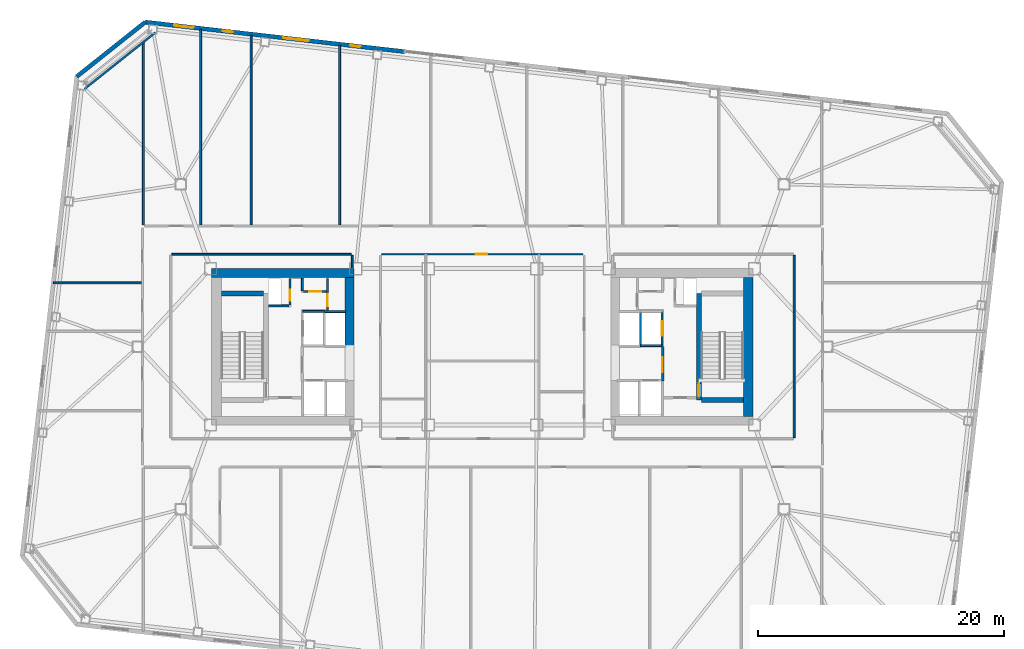
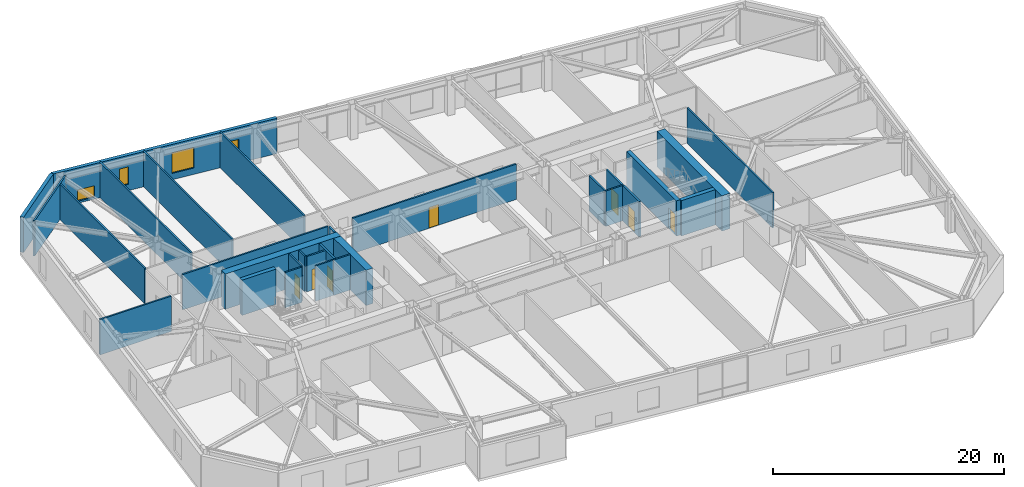
# One storey, part 12 of 19: 29 walls, 7 doors, 4 windows, 11 openings.
"""IFC4 building model written with IfcOpenShell, lengths in metres."""

from ifc_helpers import new_model, si_unit, direction, frame, frame_2d, origin, place, context, subcontext, project, spatial, rectangle, extrude, material, layer, layer_set, type_object, element, fill, save


model = new_model("IFC4")

# Units and contexts
model_context = context("Model", 3, precision=1e-05, world=origin(), true_north=direction((0.0, 1.0)))
body_context = subcontext(model_context, "Body", "Model", "MODEL_VIEW")
ifc_project = project(units=[si_unit("LENGTHUNIT", "METRE"), si_unit("AREAUNIT", "SQUARE_METRE"), si_unit("VOLUMEUNIT", "CUBIC_METRE"), si_unit("PLANEANGLEUNIT", "RADIAN"), si_unit("MASSUNIT", "GRAM", prefix="KILO")], contexts=[model_context])

# Site, building, storey
site_placement = place(None, origin())
site = spatial("IfcSite", under=ifc_project, at=site_placement, CompositionType="ELEMENT")
building_placement = place(site_placement, origin())
building = spatial("IfcBuilding", under=site, at=building_placement, Name="Tavrogorsk Clinical Tower", CompositionType="ELEMENT")
storey_placement = place(building_placement, frame((0.0, 0.0, 101.39990234375)))
storey = spatial("IfcBuildingStorey", under=building, at=storey_placement, Name="L22", CompositionType="ELEMENT", Elevation=101.39990234375)

# Wall, opening, door
ifc_material_1 = material(Name="Concrete B60", Category="concrete")
ifc_layer_1 = layer(ifc_material_1, 0.199951171875)
ifc_layer_set_1 = layer_set([ifc_layer_1], Name="Concrete B60")
wall_type_1 = type_object("IfcWallType", Name="CoreFireWall_200", PredefinedType="SOLIDWALL", material=ifc_layer_set_1)
wall_1_placement = place(storey_placement, frame((14.639892578125, -2.780029296875, 0.0), z_axis=(0.0, 0.0, 1.0), x_axis=(0.0, 1.0, 0.0)))
wall_1 = element("IfcWall", 1, at=wall_1_placement, inside=storey, type_object=wall_type_1, Name="L22 Core East Firefighting Lobby Fire Wall", PredefinedType="SOLIDWALL", context=body_context, shape_type="SweptSolid", body=[
    extrude(rectangle(XDim=2.820068359375, YDim=0.199951171875, at=frame_2d((1.41015625, 0.0))), origin(), (0.0, 0.0, 1.0), 3.739990234375),
])
opening_1_placement = place(wall_1_placement, frame((0.72998046875, 0.0, 0.0)))
opening_1 = element("IfcOpeningElement", 2, at=opening_1_placement, cuts=wall_1, Name="Opening FD-01", PredefinedType="OPENING", context=body_context, shape_type="SweptSolid", body=[
    extrude(rectangle(XDim=1.199951171875, YDim=2.199951171875, at=frame_2d((0.60009765625, 1.10009765625))), frame((0.0, 0.10986328125, 0.0), z_axis=(0.0, -1.0, 0.0), x_axis=(1.0, 0.0, 0.0)), (0.0, 0.0, 1.0), 0.219970703125),
])
ifc_material_2 = material(Name="Galvanised steel fire-rated door assembly", Category="steel")
door_type_1 = type_object("IfcDoorType", Name="FireDoor_FD01_1200", OperationType="NOTDEFINED", PredefinedType="DOOR", material=ifc_material_2)
door_1_placement = place(opening_1_placement, origin())
door_1 = element("IfcDoor", 3, at=door_1_placement, inside=storey, type_object=door_type_1, Name="L22 Core East Firefighting Lobby Entry Door", OperationType="SINGLE_SWING_RIGHT", OverallHeight=2.199951171875, OverallWidth=1.199951171875, PredefinedType="DOOR", context=body_context, shape_type="SweptSolid", body=[
    extrude(rectangle(XDim=1.199951171875, YDim=2.199951171875, at=frame_2d((0.60009765625, 1.10009765625))), frame((0.0, 0.02490234375, 0.0), z_axis=(0.0, -1.0, 0.0), x_axis=(1.0, 0.0, 0.0)), (0.0, 0.0, 1.0), 0.050048828125),
])
fill(opening_1, door_1)

ifc_material_3 = material(Name="Lightweight concrete blockwork B15", Category="masonry")
ifc_layer_2 = layer(ifc_material_3, 0.159912109375)
ifc_layer_set_2 = layer_set([ifc_layer_2], Name="Lightweight concrete blockwork B15")
wall_type_2 = type_object("IfcWallType", Name="PartitionWall_160", PredefinedType="PARTITIONING", material=ifc_layer_set_2)
wall_2_placement = place(storey_placement, frame((-12.580078125, 2.9599609375, 0.0), z_axis=(0.0, 0.0, 1.0), x_axis=(0.0, 1.0, 0.0)))
wall_2 = element("IfcWall", 4, at=wall_2_placement, inside=storey, type_object=wall_type_2, Name="L22 Core West Linen Closet Wall", PredefinedType="PARTITIONING", context=body_context, shape_type="SweptSolid", body=[
    extrude(rectangle(XDim=2.60009765625, YDim=0.159912109375, at=frame_2d((1.300048828125, 0.0))), origin(), (0.0, 0.0, 1.0), 3.739990234375),
])
opening_2_placement = place(wall_2_placement, frame((0.35009765625, 0.0, 0.0)))
opening_2 = element("IfcOpeningElement", 5, at=opening_2_placement, cuts=wall_2, Name="Opening ID-02", PredefinedType="OPENING", context=body_context, shape_type="SweptSolid", body=[
    extrude(rectangle(XDim=0.949951171875, YDim=2.199951171875, at=frame_2d((0.47509765625, 1.10009765625))), frame((0.0, 0.08984375, 0.0), z_axis=(0.0, -1.0, 0.0), x_axis=(1.0, 0.0, 0.0)), (0.0, 0.0, 1.0), 0.179931640625),
])
ifc_material_4 = material(Name="Laminated timber leaf on aluminium frame", Category="wood")
door_type_2 = type_object("IfcDoorType", Name="InteriorDoor_ID02_950", OperationType="NOTDEFINED", PredefinedType="DOOR", material=ifc_material_4)
door_2_placement = place(opening_2_placement, origin())
door_2 = element("IfcDoor", 6, at=door_2_placement, inside=storey, type_object=door_type_2, Name="L22 Core West Linen Closet Door", OperationType="SINGLE_SWING_LEFT", OverallHeight=2.199951171875, OverallWidth=0.949951171875, PredefinedType="DOOR", context=body_context, shape_type="SweptSolid", body=[
    extrude(rectangle(XDim=0.949951171875, YDim=2.199951171875, at=frame_2d((0.47509765625, 1.10009765625))), frame((0.0, 0.02490234375, 0.0), z_axis=(0.0, -1.0, 0.0), x_axis=(1.0, 0.0, 0.0)), (0.0, 0.0, 1.0), 0.050048828125),
])
fill(opening_2, door_2)

wall_3_placement = place(storey_placement, frame((-14.554931640625, 4.47998046875, 0.0), z_axis=(0.0, 0.0, 1.0), x_axis=(1.0, 0.0, 0.0)))
wall_3 = element("IfcWall", 7, at=wall_3_placement, inside=storey, type_object=wall_type_2, Name="L22 Core West Housekeeping South Wall", PredefinedType="PARTITIONING", context=body_context, shape_type="SweptSolid", body=[
    extrude(rectangle(XDim=1.889892578125, YDim=0.159912109375, at=frame_2d((0.94482421875, 0.0))), origin(), (0.0, 0.0, 1.0), 3.739990234375),
])
opening_3_placement = place(wall_3_placement, frame((0.5, 0.0, 0.0)))
opening_3 = element("IfcOpeningElement", 8, at=opening_3_placement, cuts=wall_3, Name="Opening ID-02", PredefinedType="OPENING", context=body_context, shape_type="SweptSolid", body=[
    extrude(rectangle(XDim=0.949951171875, YDim=2.199951171875, at=frame_2d((0.47509765625, 1.10009765625))), frame((0.0, 0.08984375, 0.0), z_axis=(0.0, -1.0, 0.0), x_axis=(1.0, 0.0, 0.0)), (0.0, 0.0, 1.0), 0.179931640625),
])
door_3_placement = place(opening_3_placement, origin())
door_3 = element("IfcDoor", 9, at=door_3_placement, inside=storey, type_object=door_type_2, Name="L22 Core West Housekeeping Closet Door", OperationType="SINGLE_SWING_RIGHT", OverallHeight=2.199951171875, OverallWidth=0.949951171875, PredefinedType="DOOR", context=body_context, shape_type="SweptSolid", body=[
    extrude(rectangle(XDim=0.949951171875, YDim=2.199951171875, at=frame_2d((0.47509765625, 1.10009765625))), frame((0.0, 0.02490234375, 0.0), z_axis=(0.0, -1.0, 0.0), x_axis=(1.0, 0.0, 0.0)), (0.0, 0.0, 1.0), 0.050048828125),
])
fill(opening_3, door_3)

# Walls
wall_4_placement = place(storey_placement, frame((-14.639892578125, 4.56494140625, 0.0), z_axis=(0.0, 0.0, 1.0), x_axis=(0.0, 1.0, 0.0)))
element("IfcWall", 10, at=wall_4_placement, inside=storey, type_object=wall_type_2, Name="L22 Core West Housekeeping East Wall", PredefinedType="PARTITIONING", context=body_context, shape_type="SweptSolid", body=[
    extrude(rectangle(XDim=0.9951171875, YDim=0.159912109375, at=frame_2d((0.49755859375, 0.0))), origin(), (0.0, 0.0, 1.0), 3.739990234375),
])
wall_5_placement = place(storey_placement, frame((-26.5712890625, 25.534912109375, 0.0), z_axis=(0.0, 0.0, 1.0), x_axis=(-0.782617962887, -0.622502308564, 0.0)))
element("IfcWall", 11, at=wall_5_placement, inside=storey, type_object=wall_type_2, Name="L22 Corner Exoskeleton Brace Furring Wall 3", PredefinedType="PARTITIONING", context=body_context, shape_type="SweptSolid", body=[
    extrude(rectangle(XDim=7.35400390625, YDim=0.159912109375, at=frame_2d((3.677001953125, 0.0))), origin(), (0.0, 0.0, 1.0), 3.739990234375),
])
wall_6_placement = place(storey_placement, frame((25.320068359375, -7.385009765625, 0.0), z_axis=(0.0, 0.0, 1.0), x_axis=(0.0, 1.0, 0.0)))
element("IfcWall", 12, at=wall_6_placement, inside=storey, type_object=wall_type_2, Name="L22 Corridor Partition 13", PredefinedType="PARTITIONING", context=body_context, shape_type="SweptSolid", body=[
    extrude(rectangle(XDim=14.820068359375, YDim=0.159912109375, at=frame_2d((7.41015625, 0.0))), origin(), (0.0, 0.0, 1.0), 3.739990234375),
])

# Wall, opening, door
wall_7_placement = place(storey_placement, frame((8.18505859375, 7.52001953125, 0.0), z_axis=(0.0, 0.0, 1.0), x_axis=(-1.0, 0.0, 0.0)))
wall_7 = element("IfcWall", 13, at=wall_7_placement, inside=storey, type_object=wall_type_2, Name="L22 Corridor Partition 14", PredefinedType="PARTITIONING", context=body_context, shape_type="SweptSolid", body=[
    extrude(rectangle(XDim=16.3701171875, YDim=0.159912109375, at=frame_2d((8.18505859375, 0.0))), origin(), (0.0, 0.0, 1.0), 3.739990234375),
])
opening_4_placement = place(wall_7_placement, frame((7.794921875, 0.0, 0.0)))
opening_4 = element("IfcOpeningElement", 14, at=opening_4_placement, cuts=wall_7, Name="Opening ID-02", PredefinedType="OPENING", context=body_context, shape_type="SweptSolid", body=[
    extrude(rectangle(XDim=0.949951171875, YDim=2.199951171875, at=frame_2d((0.47509765625, 1.10009765625))), frame((0.0, 0.08984375, 0.0), z_axis=(0.0, -1.0, 0.0), x_axis=(1.0, 0.0, 0.0)), (0.0, 0.0, 1.0), 0.179931640625),
])
door_4_placement = place(opening_4_placement, origin())
door_4 = element("IfcDoor", 15, at=door_4_placement, inside=storey, type_object=door_type_2, Name="L22 Nurses' Station & Triage Hub Door", OperationType="SINGLE_SWING_LEFT", OverallHeight=2.199951171875, OverallWidth=0.949951171875, PredefinedType="DOOR", context=body_context, shape_type="SweptSolid", body=[
    extrude(rectangle(XDim=0.949951171875, YDim=2.199951171875, at=frame_2d((0.47509765625, 1.10009765625))), frame((0.0, 0.02490234375, 0.0), z_axis=(0.0, -1.0, 0.0), x_axis=(1.0, 0.0, 0.0)), (0.0, 0.0, 1.0), 0.050048828125),
])
fill(opening_4, door_4)

# Walls
wall_8_placement = place(storey_placement, frame((-10.580078125, 6.419921875, 0.0), z_axis=(0.0, 0.0, 1.0), x_axis=(0.0, 1.0, 0.0)))
element("IfcWall", 16, at=wall_8_placement, inside=storey, type_object=wall_type_2, Name="L22 Corridor Partition 19", PredefinedType="PARTITIONING", context=body_context, shape_type="SweptSolid", body=[
    extrude(rectangle(XDim=1.01513671875, YDim=0.159912109375, at=frame_2d((0.507568359375, 0.0))), origin(), (0.0, 0.0, 1.0), 3.739990234375),
])
wall_9_placement = place(storey_placement, frame((-10.6650390625, 7.52001953125, 0.0), z_axis=(0.0, 0.0, 1.0), x_axis=(-1.0, 0.0, 0.0)))
element("IfcWall", 17, at=wall_9_placement, inside=storey, type_object=wall_type_2, Name="L22 Corridor Partition 20", PredefinedType="PARTITIONING", context=body_context, shape_type="SweptSolid", body=[
    extrude(rectangle(XDim=14.570068359375, YDim=0.159912109375, at=frame_2d((7.28515625, 0.0))), origin(), (0.0, 0.0, 1.0), 3.739990234375),
])
wall_10_placement = place(storey_placement, frame((-27.550048828125, 9.9150390625, 0.0), z_axis=(0.0, 0.0, 1.0), x_axis=(0.0, 1.0, 0.0)))
element("IfcWall", 18, at=wall_10_placement, inside=storey, type_object=wall_type_2, Name="L22 NW Wing Closure Partition", PredefinedType="PARTITIONING", context=body_context, shape_type="SweptSolid", body=[
    extrude(rectangle(XDim=14.858642578125, YDim=0.159912109375, at=frame_2d((7.42919921875, 0.0))), origin(), (0.0, 0.0, 1.0), 3.739990234375),
])
wall_11_placement = place(storey_placement, frame((-22.89990234375, 9.9150390625, 0.0), z_axis=(0.0, 0.0, 1.0), x_axis=(0.0, 1.0, 0.0)))
element("IfcWall", 19, at=wall_11_placement, inside=storey, type_object=wall_type_2, Name="L22 North Room Partition 1", PredefinedType="PARTITIONING", context=body_context, shape_type="SweptSolid", body=[
    extrude(rectangle(XDim=15.886474609375, YDim=0.159912109375, at=frame_2d((7.943359375, 0.0))), origin(), (0.0, 0.0, 1.0), 3.739990234375),
])
wall_12_placement = place(storey_placement, frame((-18.800048828125, 9.9150390625, 0.0), z_axis=(0.0, 0.0, 1.0), x_axis=(0.0, 1.0, 0.0)))
element("IfcWall", 20, at=wall_12_placement, inside=storey, type_object=wall_type_2, Name="L22 North Room Partition 2", PredefinedType="PARTITIONING", context=body_context, shape_type="SweptSolid", body=[
    extrude(rectangle(XDim=15.419189453125, YDim=0.159912109375, at=frame_2d((7.70947265625, 0.0))), origin(), (0.0, 0.0, 1.0), 3.739990234375),
])
wall_13_placement = place(storey_placement, frame((-11.60009765625, 9.9150390625, 0.0), z_axis=(0.0, 0.0, 1.0), x_axis=(0.0, 1.0, 0.0)))
element("IfcWall", 21, at=wall_13_placement, inside=storey, type_object=wall_type_2, Name="L22 North Room Partition 3", PredefinedType="PARTITIONING", context=body_context, shape_type="SweptSolid", body=[
    extrude(rectangle(XDim=14.598876953125, YDim=0.159912109375, at=frame_2d((7.29931640625, 0.0))), origin(), (0.0, 0.0, 1.0), 3.739990234375),
])
wall_14_placement = place(storey_placement, frame((-34.857177734375, 5.199951171875, 0.0), z_axis=(0.0, 0.0, 1.0), x_axis=(1.0, 0.0, 0.0)))
element("IfcWall", 22, at=wall_14_placement, inside=storey, type_object=wall_type_2, Name="L22 W Wing Divider 3", PredefinedType="PARTITIONING", context=body_context, shape_type="SweptSolid", body=[
    extrude(rectangle(XDim=7.14208984375, YDim=0.159912109375, at=frame_2d((3.571044921875, 0.0))), origin(), (0.0, 0.0, 1.0), 3.739990234375),
])

# Wall, openings, windows
ifc_material_5 = material(Name="Precast concrete B45 with limestone cladding", Category="masonry")
ifc_layer_3 = layer(ifc_material_5, 0.340087890625)
ifc_layer_set_3 = layer_set([ifc_layer_3], Name="Precast concrete B45 with limestone cladding")
wall_type_3 = type_object("IfcWallType", Name="PrecastLimestoneWall_340", PredefinedType="STANDARD", material=ifc_layer_set_3)
wall_15_placement = place(storey_placement, frame((-6.314453125, 23.982177734375, 0.0), z_axis=(0.0, 0.0, 1.0), x_axis=(-0.993571362037, 0.113207546299, 0.0)))
wall_15 = element("IfcWall", 23, at=wall_15_placement, inside=storey, type_object=wall_type_3, Name="L22 N Limestone Facade Wall 3", PredefinedType="STANDARD", context=body_context, shape_type="SweptSolid", body=[
    extrude(rectangle(XDim=21.222900390625, YDim=0.340087890625, at=frame_2d((10.611328125, 0.0))), origin(), (0.0, 0.0, 1.0), 3.739990234375),
])
opening_5_placement = place(wall_15_placement, frame((17.264892578125, 0.0, 0.219970703125)))
opening_5 = element("IfcOpeningElement", 24, at=opening_5_placement, cuts=wall_15, Name="Opening WN-09", PredefinedType="OPENING", context=body_context, shape_type="SweptSolid", body=[
    extrude(rectangle(XDim=1.60009765625, YDim=1.199951171875, at=frame_2d((0.800048828125, 0.60009765625))), frame((0.0, 0.179931640625, 0.0), z_axis=(0.0, -1.0, 0.0), x_axis=(1.0, 0.0, 0.0)), (0.0, 0.0, 1.0), 0.360107421875),
])
opening_6_placement = place(wall_15_placement, frame((14.043701171875, 0.0, 0.669921875)))
opening_6 = element("IfcOpeningElement", 25, at=opening_6_placement, cuts=wall_15, Name="Opening WN-06", PredefinedType="OPENING", context=body_context, shape_type="SweptSolid", body=[
    extrude(rectangle(XDim=0.85009765625, YDim=1.85009765625, at=frame_2d((0.425048828125, 0.925048828125))), frame((0.0, 0.179931640625, 0.0), z_axis=(0.0, -1.0, 0.0), x_axis=(1.0, 0.0, 0.0)), (0.0, 0.0, 1.0), 0.360107421875),
])
opening_7_placement = place(wall_15_placement, frame((7.837890625, 0.0, 0.669921875)))
opening_7 = element("IfcOpeningElement", 26, at=opening_7_placement, cuts=wall_15, Name="Opening WN-03", PredefinedType="OPENING", context=body_context, shape_type="SweptSolid", body=[
    extrude(rectangle(XDim=2.10009765625, YDim=2.199951171875, at=frame_2d((1.050048828125, 1.10009765625))), frame((0.0, 0.179931640625, 0.0), z_axis=(0.0, -1.0, 0.0), x_axis=(1.0, 0.0, 0.0)), (0.0, 0.0, 1.0), 0.360107421875),
])
opening_8_placement = place(wall_15_placement, frame((3.616455078125, 0.0, 0.669921875)))
opening_8 = element("IfcOpeningElement", 27, at=opening_8_placement, cuts=wall_15, Name="Opening WN-06", PredefinedType="OPENING", context=body_context, shape_type="SweptSolid", body=[
    extrude(rectangle(XDim=0.85009765625, YDim=1.85009765625, at=frame_2d((0.425048828125, 0.925048828125))), frame((0.0, 0.179931640625, 0.0), z_axis=(0.0, -1.0, 0.0), x_axis=(1.0, 0.0, 0.0)), (0.0, 0.0, 1.0), 0.360107421875),
])
ifc_material_6 = material(Name="Thermally broken aluminium frame and triple IGU", Category="aluminium")
window_type_1 = type_object("IfcWindowType", Name="LowHeadTransWin_1600x1200", PartitioningType="DOUBLE_PANEL_VERTICAL", PredefinedType="WINDOW", material=ifc_material_6)
window_1_placement = place(opening_5_placement, origin())
window_1 = element("IfcWindow", 28, at=window_1_placement, inside=storey, type_object=window_type_1, Name="L22 N Chicago Window 01", OverallHeight=1.199951171875, OverallWidth=1.60009765625, PartitioningType="SINGLE_PANEL", PredefinedType="WINDOW", context=body_context, shape_type="SweptSolid", body=[
    extrude(rectangle(XDim=1.60009765625, YDim=1.199951171875, at=frame_2d((0.800048828125, 0.60009765625))), frame((0.0, 0.030029296875, 0.0), z_axis=(0.0, -1.0, 0.0), x_axis=(1.0, 0.0, 0.0)), (0.0, 0.0, 1.0), 0.06005859375),
])
fill(opening_5, window_1)
ifc_material_7 = material(Name="Thermally broken aluminium frame and triple IGU", Category="aluminium")
window_type_2 = type_object("IfcWindowType", Name="MullionSubWin_850x1850", PartitioningType="SINGLE_PANEL", PredefinedType="WINDOW", material=ifc_material_7)
window_2_placement = place(opening_6_placement, origin())
window_2 = element("IfcWindow", 29, at=window_2_placement, inside=storey, type_object=window_type_2, Name="L22 N Mullion Split Window 02B", OverallHeight=1.85009765625, OverallWidth=0.85009765625, PartitioningType="SINGLE_PANEL", PredefinedType="WINDOW", context=body_context, shape_type="SweptSolid", body=[
    extrude(rectangle(XDim=0.85009765625, YDim=1.85009765625, at=frame_2d((0.425048828125, 0.925048828125))), frame((0.0, 0.030029296875, 0.0), z_axis=(0.0, -1.0, 0.0), x_axis=(1.0, 0.0, 0.0)), (0.0, 0.0, 1.0), 0.06005859375),
])
fill(opening_6, window_2)
window_3_placement = place(opening_8_placement, origin())
window_3 = element("IfcWindow", 30, at=window_3_placement, inside=storey, type_object=window_type_2, Name="L22 N Mullion Split Window 04A", OverallHeight=1.85009765625, OverallWidth=0.85009765625, PartitioningType="SINGLE_PANEL", PredefinedType="WINDOW", context=body_context, shape_type="SweptSolid", body=[
    extrude(rectangle(XDim=0.85009765625, YDim=1.85009765625, at=frame_2d((0.425048828125, 0.925048828125))), frame((0.0, 0.030029296875, 0.0), z_axis=(0.0, -1.0, 0.0), x_axis=(1.0, 0.0, 0.0)), (0.0, 0.0, 1.0), 0.06005859375),
])
fill(opening_8, window_3)
ifc_material_8 = material(Name="Thermally broken aluminium frame and triple IGU", Category="aluminium")
window_type_3 = type_object("IfcWindowType", Name="PatientTwinWin_2100x2200", PartitioningType="DOUBLE_PANEL_VERTICAL", PredefinedType="WINDOW", material=ifc_material_8)
window_4_placement = place(opening_7_placement, origin())
window_4 = element("IfcWindow", 31, at=window_4_placement, inside=storey, type_object=window_type_3, Name="L22 N Chicago Window 03", OverallHeight=2.199951171875, OverallWidth=2.10009765625, PartitioningType="SINGLE_PANEL", PredefinedType="WINDOW", context=body_context, shape_type="SweptSolid", body=[
    extrude(rectangle(XDim=2.10009765625, YDim=2.199951171875, at=frame_2d((1.050048828125, 1.10009765625))), frame((0.0, 0.030029296875, 0.0), z_axis=(0.0, -1.0, 0.0), x_axis=(1.0, 0.0, 0.0)), (0.0, 0.0, 1.0), 0.06005859375),
])
fill(opening_7, window_4)

# Walls
wall_16_placement = place(storey_placement, frame((-27.40087890625, 26.384765625, 0.0), z_axis=(0.0, 0.0, 1.0), x_axis=(-0.78261359446, -0.622507800567, 0.0)))
element("IfcWall", 32, at=wall_16_placement, inside=storey, type_object=wall_type_3, Name="L22 Chamfered Corner Wall 3", PredefinedType="STANDARD", context=body_context, shape_type="SweptSolid", body=[
    extrude(rectangle(XDim=7.113525390625, YDim=0.340087890625, at=frame_2d((3.556640625, 0.0))), origin(), (0.0, 0.0, 1.0), 3.739990234375),
])
ifc_material_9 = material(Name="Lightweight concrete blockwork B25", Category="masonry")
ifc_layer_4 = layer(ifc_material_9, 0.159912109375)
ifc_layer_set_4 = layer_set([ifc_layer_4], Name="Lightweight concrete blockwork B25")
wall_type_4 = type_object("IfcWallType", Name="ShaftWall_160", PredefinedType="PARTITIONING", material=ifc_layer_set_4)
wall_17_placement = place(storey_placement, frame((-14.60009765625, 2.8798828125, 0.0), z_axis=(0.0, 0.0, 1.0), x_axis=(1.0, 0.0, 0.0)))
element("IfcWall", 33, at=wall_17_placement, inside=storey, type_object=wall_type_4, Name="L22 FFL-W Shaft North Wall", PredefinedType="PARTITIONING", context=body_context, shape_type="SweptSolid", body=[
    extrude(rectangle(XDim=1.760009765625, YDim=0.159912109375, at=frame_2d((0.8798828125, 0.0))), origin(), (0.0, 0.0, 1.0), 3.739990234375),
])
wall_18_placement = place(storey_placement, frame((-12.820068359375, 2.860107421875, 0.0), z_axis=(0.0, 0.0, 1.0), x_axis=(1.0, 0.0, 0.0)))
element("IfcWall", 34, at=wall_18_placement, inside=storey, type_object=wall_type_4, Name="L22 LP-H1 High-Zone Lift Rear Wall", PredefinedType="PARTITIONING", context=body_context, shape_type="SweptSolid", body=[
    extrude(rectangle(XDim=1.719970703125, YDim=0.159912109375, at=frame_2d((0.85986328125, 0.0))), origin(), (0.0, 0.0, 1.0), 3.739990234375),
])

# Wall, opening, door
wall_19_placement = place(storey_placement, frame((14.60009765625, 0.1201171875, 0.0), z_axis=(0.0, 0.0, 1.0), x_axis=(0.0, 1.0, 0.0)))
wall_19 = element("IfcWall", 35, at=wall_19_placement, inside=storey, type_object=wall_type_4, Name="L22 FFL-E Firefighting Lift Front Wall", PredefinedType="PARTITIONING", context=body_context, shape_type="SweptSolid", body=[
    extrude(rectangle(XDim=2.739990234375, YDim=0.159912109375, at=frame_2d((1.3701171875, 0.0))), origin(), (0.0, 0.0, 1.0), 3.739990234375),
])
opening_9_placement = place(wall_19_placement, frame((0.77001953125, 0.0, 0.0)))
opening_9 = element("IfcOpeningElement", 36, at=opening_9_placement, cuts=wall_19, Name="Opening LD", PredefinedType="OPENING", context=body_context, shape_type="SweptSolid", body=[
    extrude(rectangle(XDim=1.199951171875, YDim=2.199951171875, at=frame_2d((0.60009765625, 1.10009765625))), frame((0.0, 0.08984375, 0.0), z_axis=(0.0, -1.0, 0.0), x_axis=(1.0, 0.0, 0.0)), (0.0, 0.0, 1.0), 0.179931640625),
])
ifc_material_10 = material(Name="Brushed stainless steel AISI 304 sliding doors", Category="steel")
door_type_3 = type_object("IfcDoorType", Name="LiftLandingDoor_LD_1200", OperationType="SLIDING_TO_LEFT", PredefinedType="DOOR", material=ifc_material_10)
door_5_placement = place(opening_9_placement, origin())
door_5 = element("IfcDoor", 37, at=door_5_placement, inside=storey, type_object=door_type_3, Name="L22 FFL-E Sliding Lift Landing Door", OperationType="SLIDING_TO_LEFT", OverallHeight=2.199951171875, OverallWidth=1.199951171875, PredefinedType="DOOR", context=body_context, shape_type="SweptSolid", body=[
    extrude(rectangle(XDim=1.199951171875, YDim=2.199951171875, at=frame_2d((0.60009765625, 1.10009765625))), frame((0.0, 0.02490234375, 0.0), z_axis=(0.0, -1.0, 0.0), x_axis=(1.0, 0.0, 0.0)), (0.0, 0.0, 1.0), 0.050048828125),
])
fill(opening_9, door_5)

# Walls
wall_20_placement = place(storey_placement, frame((12.840087890625, 0.10009765625, 0.0), z_axis=(0.0, 0.0, 1.0), x_axis=(1.0, 0.0, 0.0)))
element("IfcWall", 38, at=wall_20_placement, inside=storey, type_object=wall_type_4, Name="L22 FFL-E Shaft South Wall", PredefinedType="PARTITIONING", context=body_context, shape_type="SweptSolid", body=[
    extrude(rectangle(XDim=1.760009765625, YDim=0.159912109375, at=frame_2d((0.8798828125, 0.0))), origin(), (0.0, 0.0, 1.0), 3.739990234375),
])
wall_21_placement = place(storey_placement, frame((12.840087890625, 0.179931640625, 0.0), z_axis=(0.0, 0.0, 1.0), x_axis=(0.0, 1.0, 0.0)))
element("IfcWall", 39, at=wall_21_placement, inside=storey, type_object=wall_type_4, Name="L22 FFL-E Shaft Back Wall", PredefinedType="PARTITIONING", context=body_context, shape_type="SweptSolid", body=[
    extrude(rectangle(XDim=2.6201171875, YDim=0.159912109375, at=frame_2d((1.31005859375, 0.0))), origin(), (0.0, 0.0, 1.0), 3.739990234375),
])

# Wall, opening, door
wall_22_placement = place(storey_placement, frame((-15.639892578125, 3.405029296875, 0.0), z_axis=(0.0, 0.0, 1.0), x_axis=(0.0, 1.0, 0.0)))
wall_22 = element("IfcWall", 40, at=wall_22_placement, inside=storey, type_object=wall_type_4, Name="L22 Core West Riser West Wall", PredefinedType="PARTITIONING", context=body_context, shape_type="SweptSolid", body=[
    extrude(rectangle(XDim=2.155029296875, YDim=0.159912109375, at=frame_2d((1.07763671875, 0.0))), origin(), (0.0, 0.0, 1.0), 3.739990234375),
])
opening_10_placement = place(wall_22_placement, frame((0.35009765625, 0.0, 0.0)))
opening_10 = element("IfcOpeningElement", 41, at=opening_10_placement, cuts=wall_22, Name="Opening FD-02", PredefinedType="OPENING", context=body_context, shape_type="SweptSolid", body=[
    extrude(rectangle(XDim=0.89990234375, YDim=2.199951171875, at=frame_2d((0.449951171875, 1.10009765625))), frame((0.0, 0.08984375, 0.0), z_axis=(0.0, -1.0, 0.0), x_axis=(1.0, 0.0, 0.0)), (0.0, 0.0, 1.0), 0.179931640625),
])
ifc_material_11 = material(Name="Galvanised steel fire-rated door assembly", Category="steel")
door_type_4 = type_object("IfcDoorType", Name="FireDoor_FD02_900", OperationType="NOTDEFINED", PredefinedType="DOOR", material=ifc_material_11)
door_6_placement = place(opening_10_placement, origin())
door_6 = element("IfcDoor", 42, at=door_6_placement, inside=storey, type_object=door_type_4, Name="L22 Core West Electrical Riser Access Door", OperationType="SINGLE_SWING_LEFT", OverallHeight=2.199951171875, OverallWidth=0.89990234375, PredefinedType="DOOR", context=body_context, shape_type="SweptSolid", body=[
    extrude(rectangle(XDim=0.89990234375, YDim=2.199951171875, at=frame_2d((0.449951171875, 1.10009765625))), frame((0.0, 0.02490234375, 0.0), z_axis=(0.0, -1.0, 0.0), x_axis=(1.0, 0.0, 0.0)), (0.0, 0.0, 1.0), 0.050048828125),
])
fill(opening_10, door_6)

# Walls
wall_23_placement = place(storey_placement, frame((-17.3798828125, 3.320068359375, 0.0), z_axis=(0.0, 0.0, 1.0), x_axis=(1.0, 0.0, 0.0)))
element("IfcWall", 43, at=wall_23_placement, inside=storey, type_object=wall_type_4, Name="L22 Core West Riser South Wall", PredefinedType="PARTITIONING", context=body_context, shape_type="SweptSolid", body=[
    extrude(rectangle(XDim=1.65478515625, YDim=0.159912109375, at=frame_2d((0.827392578125, 0.0))), origin(), (0.0, 0.0, 1.0), 3.739990234375),
])
ifc_material_12 = material(Name="Concrete B80", Category="concrete")
ifc_layer_5 = layer(ifc_material_12, 0.39990234375)
ifc_layer_set_5 = layer_set([ifc_layer_5], Name="Concrete B80")
wall_type_5 = type_object("IfcWallType", Name="ShearWall_400", PredefinedType="SHEAR", material=ifc_layer_set_5)
wall_24_placement = place(storey_placement, frame((-21.199951171875, 4.324951171875, 0.0), z_axis=(0.0, 0.0, 1.0), x_axis=(1.0, 0.0, 0.0)))
element("IfcWall", 44, at=wall_24_placement, inside=storey, type_object=wall_type_5, Name="L22 Core West Stair Shaft North Shear Wall", PredefinedType="SHEAR", context=body_context, shape_type="SweptSolid", body=[
    extrude(rectangle(XDim=3.39990234375, YDim=0.39990234375, at=frame_2d((1.699951171875, 0.0))), origin(), (0.0, 0.0, 1.0), 3.739990234375),
])

# Wall, opening, door
wall_25_placement = place(storey_placement, frame((17.60009765625, -4.324951171875, 0.0), z_axis=(0.0, 0.0, 1.0), x_axis=(0.0, 1.0, 0.0)))
wall_25 = element("IfcWall", 45, at=wall_25_placement, inside=storey, type_object=wall_type_5, Name="L22 Core East Stair Shaft Inner Shear Wall", PredefinedType="SHEAR", context=body_context, shape_type="SweptSolid", body=[
    extrude(rectangle(XDim=8.64990234375, YDim=0.39990234375, at=frame_2d((4.324951171875, 0.0))), origin(), (0.0, 0.0, 1.0), 3.739990234375),
])
opening_11_placement = place(wall_25_placement, frame((0.25, 0.0, 0.0)))
opening_11 = element("IfcOpeningElement", 46, at=opening_11_placement, cuts=wall_25, Name="Opening SD-01", PredefinedType="OPENING", context=body_context, shape_type="SweptSolid", body=[
    extrude(rectangle(XDim=1.10009765625, YDim=2.199951171875, at=frame_2d((0.550048828125, 1.10009765625))), frame((0.0, 0.2099609375, 0.0), z_axis=(0.0, -1.0, 0.0), x_axis=(1.0, 0.0, 0.0)), (0.0, 0.0, 1.0), 0.419921875),
])
ifc_material_13 = material(Name="Galvanised steel smoke-tight fire door assembly", Category="steel")
door_type_5 = type_object("IfcDoorType", Name="StairFireDoor_SD01_1100", OperationType="NOTDEFINED", PredefinedType="DOOR", material=ifc_material_13)
door_7_placement = place(opening_11_placement, origin())
door_7 = element("IfcDoor", 47, at=door_7_placement, inside=storey, type_object=door_type_5, Name="L22 ST-E Exit Stair Door", OperationType="SINGLE_SWING_RIGHT", OverallHeight=2.199951171875, OverallWidth=1.10009765625, PredefinedType="DOOR", context=body_context, shape_type="SweptSolid", body=[
    extrude(rectangle(XDim=1.10009765625, YDim=2.199951171875, at=frame_2d((0.550048828125, 1.10009765625))), frame((0.0, 0.02490234375, 0.0), z_axis=(0.0, -1.0, 0.0), x_axis=(1.0, 0.0, 0.0)), (0.0, 0.0, 1.0), 0.050048828125),
])
fill(opening_11, door_7)

# Walls
wall_26_placement = place(storey_placement, frame((17.800048828125, -4.324951171875, 0.0), z_axis=(0.0, 0.0, 1.0), x_axis=(1.0, 0.0, 0.0)))
element("IfcWall", 48, at=wall_26_placement, inside=storey, type_object=wall_type_5, Name="L22 Core East Stair Shaft South Shear Wall", PredefinedType="SHEAR", context=body_context, shape_type="SweptSolid", body=[
    extrude(rectangle(XDim=3.39990234375, YDim=0.39990234375, at=frame_2d((1.699951171875, 0.0))), origin(), (0.0, 0.0, 1.0), 3.739990234375),
])
ifc_material_14 = material(Name="Concrete B80", Category="concrete")
ifc_layer_6 = layer(ifc_material_14, 0.699951171875)
ifc_layer_set_6 = layer_set([ifc_layer_6], Name="Concrete B80")
wall_type_6 = type_object("IfcWallType", Name="ShearWall_700", PredefinedType="SHEAR", material=ifc_layer_set_6)
wall_27_placement = place(storey_placement, frame((-22.0, 6.0, 0.0), z_axis=(0.0, 0.0, 1.0), x_axis=(1.0, 0.0, 0.0)))
element("IfcWall", 49, at=wall_27_placement, inside=storey, type_object=wall_type_6, Name="L22 Core West North Shear Wall", PredefinedType="SHEAR", context=body_context, shape_type="SweptSolid", body=[
    extrude(rectangle(XDim=11.550048828125, YDim=0.699951171875, at=frame_2d((5.77490234375, 0.0))), origin(), (0.0, 0.0, 1.0), 3.739990234375),
])
wall_28_placement = place(storey_placement, frame((-10.800048828125, 0.050048828125, 0.0), z_axis=(0.0, 0.0, 1.0), x_axis=(0.0, 1.0, 0.0)))
element("IfcWall", 50, at=wall_28_placement, inside=storey, type_object=wall_type_6, Name="L22 Core West Inner North Pier", PredefinedType="SHEAR", context=body_context, shape_type="SweptSolid", body=[
    extrude(rectangle(XDim=5.599853515625, YDim=0.699951171875, at=frame_2d((2.7998046875, 0.0))), origin(), (0.0, 0.0, 1.0), 3.739990234375),
])
ifc_material_15 = material(Name="Concrete B80", Category="concrete")
ifc_layer_7 = layer(ifc_material_15, 0.800048828125)
ifc_layer_set_7 = layer_set([ifc_layer_7], Name="Concrete B80")
wall_type_7 = type_object("IfcWallType", Name="ShearWall_800", PredefinedType="SHEAR", material=ifc_layer_set_7)
wall_29_placement = place(storey_placement, frame((21.60009765625, -5.64990234375, 0.0), z_axis=(0.0, 0.0, 1.0), x_axis=(0.0, 1.0, 0.0)))
element("IfcWall", 51, at=wall_29_placement, inside=storey, type_object=wall_type_7, Name="L22 Core East End Shear Wall", PredefinedType="SHEAR", context=body_context, shape_type="SweptSolid", body=[
    extrude(rectangle(XDim=11.2998046875, YDim=0.800048828125, at=frame_2d((5.64990234375, 0.0))), origin(), (0.0, 0.0, 1.0), 3.739990234375),
])

save(model, "model.ifc")
